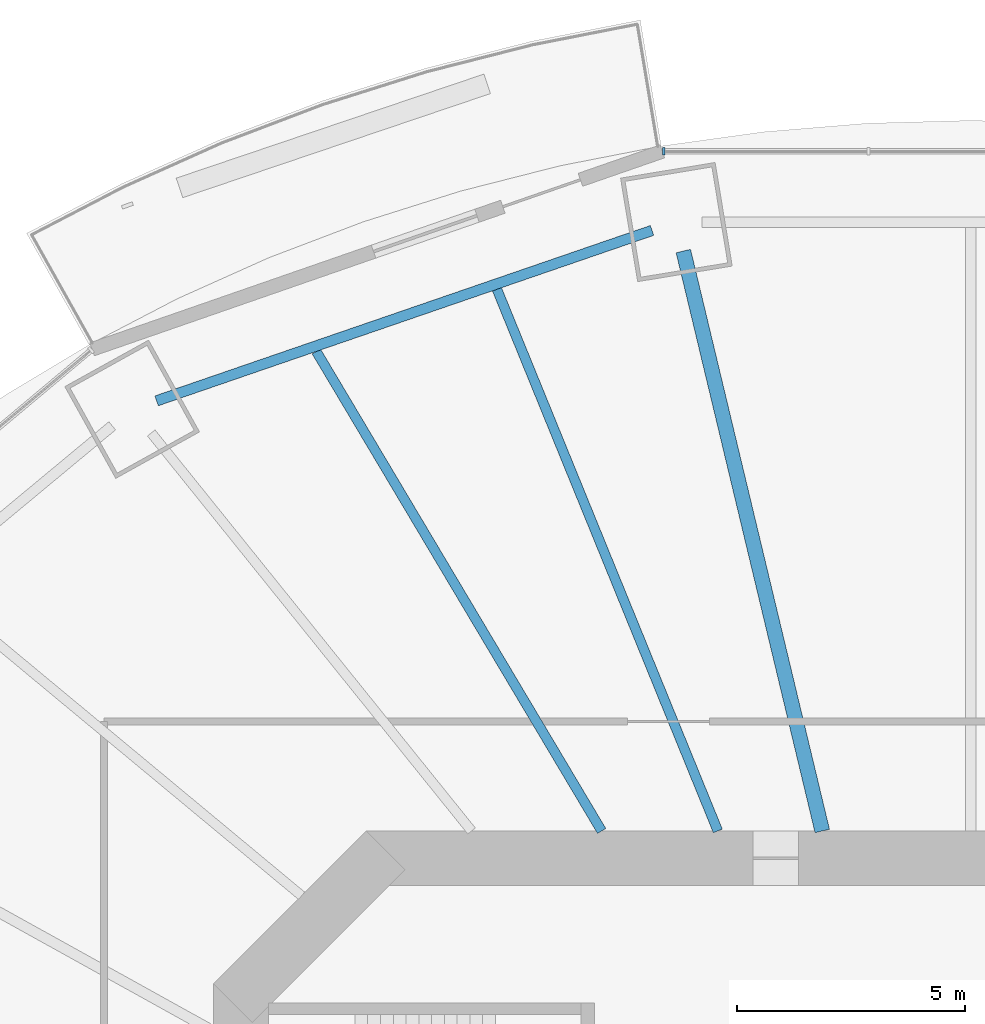
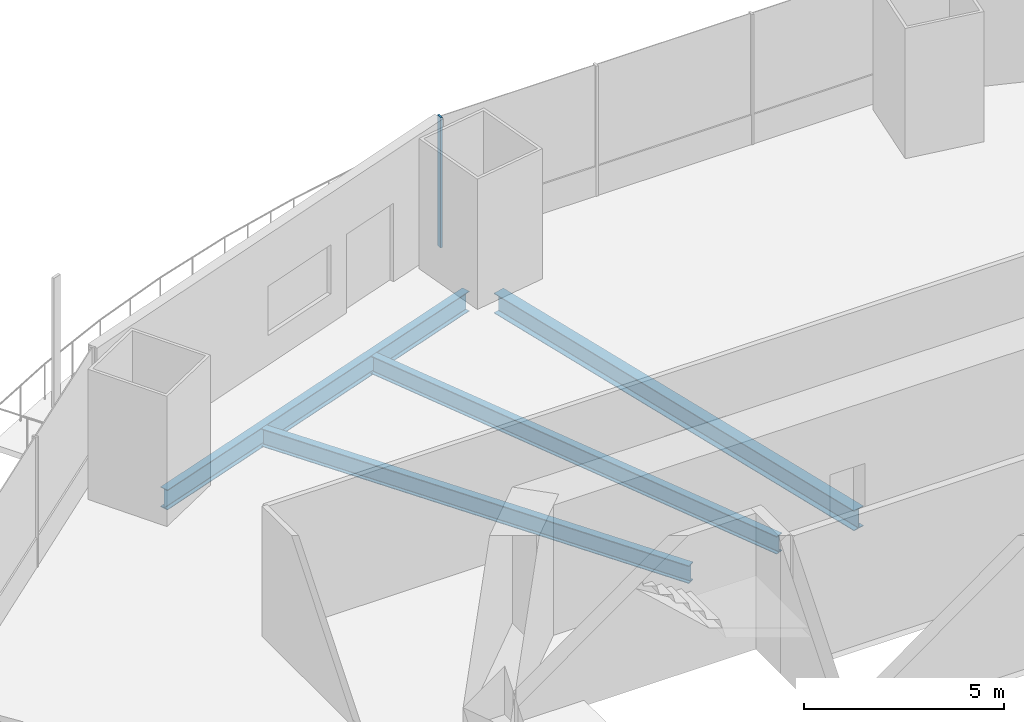
# One storey, part 7 of 22: 4 beams, 1 member, 1 element without a shape of its own.
"""IFC4 building model written with IfcOpenShell, lengths in metres."""

from ifc_helpers import new_model, si_unit, direction, frame, origin, origin_2d, place, context, subcontext, project, spatial, rectangle, i_section, extrude, material, material_profile, profile_set, type_object, element, aggregate, save


model = new_model("IFC4")

# Units and contexts
model_context = context("Model", 3, precision=1e-05, world=origin(), true_north=direction((0.0, 1.0)))
body_context = subcontext(model_context, "Body", "Model", "MODEL_VIEW")
ifc_project = project(units=[si_unit("LENGTHUNIT", "METRE"), si_unit("AREAUNIT", "SQUARE_METRE"), si_unit("VOLUMEUNIT", "CUBIC_METRE"), si_unit("PLANEANGLEUNIT", "RADIAN"), si_unit("MASSUNIT", "GRAM", prefix="KILO")], contexts=[model_context])

# Site, building, storey
site_placement = place(None, origin())
site = spatial("IfcSite", under=ifc_project, at=site_placement, CompositionType="ELEMENT")
building_placement = place(site_placement, origin())
building = spatial("IfcBuilding", under=site, at=building_placement, Name="Marenthal Gate Tower", CompositionType="ELEMENT")
storey_placement = place(building_placement, frame((0.0, 0.0, 99.39990234375)))
storey = spatial("IfcBuildingStorey", under=building, at=storey_placement, Name="L20", CompositionType="ELEMENT", Elevation=99.39990234375)

# Curtain wall, member
ifc_material_1 = material(Name="Aluminium and glass", Category="aluminium")
curtain_wall_type = type_object("IfcCurtainWallType", Name="Curtain wall typical low", PredefinedType="NOTDEFINED", material=ifc_material_1)
curtain_wall_placement = place(storey_placement, origin())
curtain_wall = element("IfcCurtainWall", 1, at=curtain_wall_placement, inside=storey, type_object=curtain_wall_type, Name="Curtain wall L20 bay 4", PredefinedType="NOTDEFINED")
ifc_material_2 = material(Name="Aluminium", Category="aluminium")
ifc_material_profile_1 = material_profile(ifc_material_2, rectangle(XDim=0.159912109375, YDim=0.06005859375, at=origin_2d()), Name="60x160 aluminium mullion")
ifc_profile_set_1 = profile_set([ifc_material_profile_1], Name="Aluminium")
member_type = type_object("IfcMemberType", Name="Mullion 60x160 typical low", PredefinedType="MULLION", material=ifc_profile_set_1)
member_placement = place(storey_placement, frame((-6.7333984375, 28.494873046875, 0.0), z_axis=(0.0, 0.0, 1.0), x_axis=(0.0, -1.0, 0.0)))
member = element("IfcMember", 2, at=member_placement, type_object=member_type, Name="Mullion L20 bay 4.4", PredefinedType="MULLION", context=body_context, shape_type="SweptSolid", body=[
    extrude(rectangle(XDim=0.159912109375, YDim=0.06005859375, at=origin_2d()), origin(), (0.0, 0.0, 1.0), 3.97021484375),
])
aggregate(curtain_wall, [member])

# Beams
ifc_material_3 = material(Name="Steel S355", Category="steel")
ifc_material_profile_2 = material_profile(ifc_material_3, i_section(OverallWidth=0.2119140625, OverallDepth=0.5439453125, WebThickness=0.01318359375, FlangeThickness=0.021240234375, FilletRadius=0.0126953125, at=origin_2d()), Name="W530X123")
ifc_profile_set_2 = profile_set([ifc_material_profile_2], Name="Steel S355")
beam_type_1 = type_object("IfcBeamType", Name="W530X123 beam", PredefinedType="BEAM", material=ifc_profile_set_2)
beam_1_placement = place(storey_placement, frame((-10.3876953125, 25.4716796875, -0.451904296875), z_axis=(0.377613822907, -0.925963174618, 0.0), x_axis=(0.925963174618, 0.377613822907, 0.0)))
element("IfcBeam", 3, at=beam_1_placement, inside=storey, type_object=beam_type_1, Name="BM-L20-23", PredefinedType="BEAM", context=body_context, shape_type="SweptSolid", body=[
    extrude(i_section(OverallWidth=0.2119140625, OverallDepth=0.5439453125, WebThickness=0.01318359375, FlangeThickness=0.021240234375, FilletRadius=0.0126953125, at=origin_2d()), origin(), (0.0, 0.0, 1.0), 12.82080078125),
])
beam_2_placement = place(storey_placement, frame((-14.346923828125, 24.10986328125, -0.451904296875), z_axis=(0.511368740727, -0.859361397206, 0.0), x_axis=(0.859361397206, 0.511368740727, 0.0)))
element("IfcBeam", 4, at=beam_2_placement, inside=storey, type_object=beam_type_1, Name="BM-L20-24", PredefinedType="BEAM", context=body_context, shape_type="SweptSolid", body=[
    extrude(i_section(OverallWidth=0.2119140625, OverallDepth=0.5439453125, WebThickness=0.01318359375, FlangeThickness=0.021240234375, FilletRadius=0.0126953125, at=origin_2d()), origin(), (0.0, 0.0, 1.0), 12.229736328125),
])
ifc_material_4 = material(Name="Steel S355", Category="steel")
ifc_material_profile_3 = material_profile(ifc_material_4, i_section(OverallWidth=0.22900390625, OverallDepth=0.612060546875, WebThickness=0.011962890625, FlangeThickness=0.01953125, FilletRadius=0.0126953125, at=origin_2d()), Name="W610X125")
ifc_profile_set_3 = profile_set([ifc_material_profile_3], Name="Steel S355")
beam_type_2 = type_object("IfcBeamType", Name="W610X125 beam", PredefinedType="BEAM", material=ifc_profile_set_3)
beam_3_placement = place(storey_placement, frame((-6.9892578125, 26.761474609375, -0.48583984375), z_axis=(-0.945633885285, -0.325233077963, 0.0), x_axis=(0.325233077963, -0.945633885285, 0.0)))
element("IfcBeam", 5, at=beam_3_placement, inside=storey, type_object=beam_type_2, Name="BM-L20-45", PredefinedType="BEAM", context=body_context, shape_type="SweptSolid", body=[
    extrude(i_section(OverallWidth=0.22900390625, OverallDepth=0.612060546875, WebThickness=0.011962890625, FlangeThickness=0.01953125, FilletRadius=0.0126953125, at=origin_2d()), origin(), (0.0, 0.0, 1.0), 11.482177734375),
])
ifc_material_5 = material(Name="Steel S355", Category="steel")
ifc_material_profile_4 = material_profile(ifc_material_5, i_section(OverallWidth=0.324951171875, OverallDepth=0.612060546875, WebThickness=0.0126953125, FlangeThickness=0.01904296875, FilletRadius=0.0126953125, at=origin_2d()), Name="W610X155")
ifc_profile_set_4 = profile_set([ifc_material_profile_4], Name="Steel S355")
beam_type_3 = type_object("IfcBeamType", Name="W610X155 beam", PredefinedType="BEAM", material=ifc_profile_set_4)
beam_4_placement = place(storey_placement, frame((-6.302978515625, 26.31005859375, -0.48583984375), z_axis=(0.232977289633, -0.972482175937, 0.0), x_axis=(0.972482175937, 0.232977289633, 0.0)))
element("IfcBeam", 6, at=beam_4_placement, inside=storey, type_object=beam_type_3, Name="BM-L20-05", PredefinedType="BEAM", context=body_context, shape_type="SweptSolid", body=[
    extrude(i_section(OverallWidth=0.324951171875, OverallDepth=0.612060546875, WebThickness=0.0126953125, FlangeThickness=0.01904296875, FilletRadius=0.0126953125, at=origin_2d()), origin(), (0.0, 0.0, 1.0), 13.069580078125),
])

save(model, "model.ifc")
